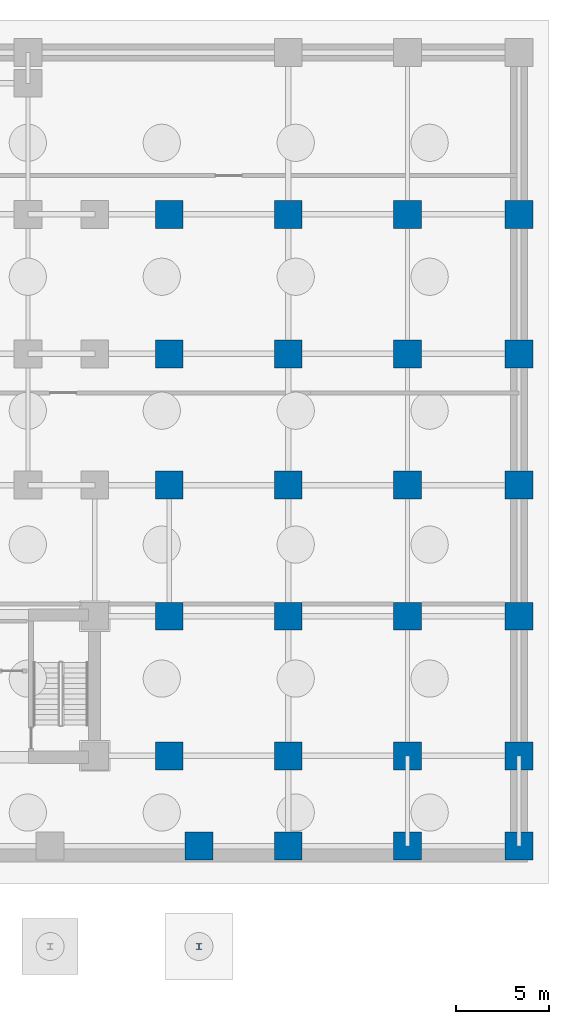
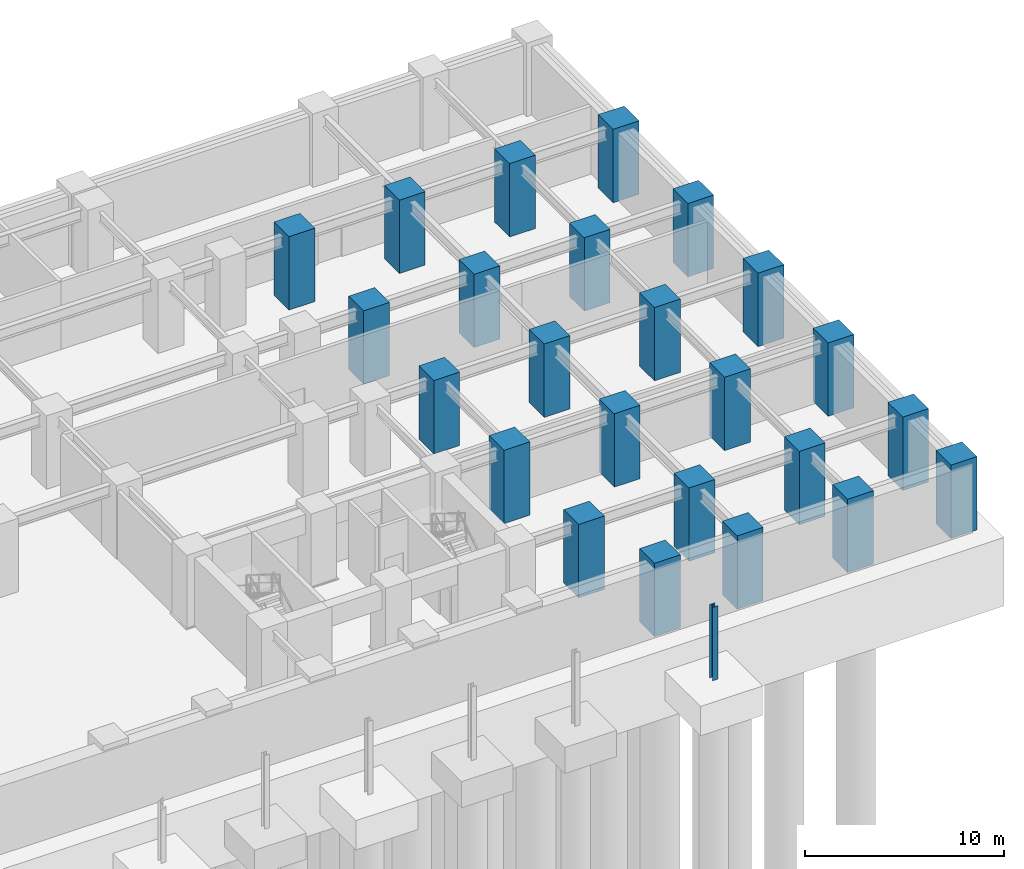
# One storey, part 4 of 11: 25 columns.
"""IFC4 building model written with IfcOpenShell, lengths in metres."""

from ifc_helpers import new_model, si_unit, direction, frame, origin, origin_2d, place, context, subcontext, project, spatial, rectangle, i_section, extrude, source, transform, mapped, material, material_profile, profile_set, type_object, element, save


model = new_model("IFC4")

# Units and contexts
model_context = context("Model", 3, precision=1e-05, world=origin(), true_north=direction((0.0, 1.0)))
body_context = subcontext(model_context, "Body", "Model", "MODEL_VIEW")
ifc_project = project(units=[si_unit("LENGTHUNIT", "METRE"), si_unit("AREAUNIT", "SQUARE_METRE"), si_unit("VOLUMEUNIT", "CUBIC_METRE"), si_unit("PLANEANGLEUNIT", "RADIAN"), si_unit("MASSUNIT", "GRAM", prefix="KILO")], contexts=[model_context])

# Site, building, storey
site_placement = place(None, origin())
site = spatial("IfcSite", under=ifc_project, at=site_placement, CompositionType="ELEMENT")
building_placement = place(site_placement, origin())
building = spatial("IfcBuilding", under=site, at=building_placement, Name="Kaliganga Portal Commons", CompositionType="ELEMENT")
storey_placement = place(building_placement, frame((0.0, 0.0, -9.0)))
storey = spatial("IfcBuildingStorey", under=building, at=storey_placement, Name="B2", CompositionType="ELEMENT", Elevation=-9.0)

# Columns
ifc_material_1 = material(Name="Structural steel S355J2", Category="steel")
ifc_material_profile_1 = material_profile(ifc_material_1, i_section(OverallWidth=0.300048828125, OverallDepth=0.320068359375, WebThickness=0.011474609375, FlangeThickness=0.0205078125, FilletRadius=0.027099609375, at=origin_2d()), Name="HE 320 B")
ifc_profile_set_1 = profile_set([ifc_material_profile_1], Name="Structural steel S355J2 wide-flange")
column_type_1 = type_object("IfcColumnType", Name="COL-PROM-POST", PredefinedType="COLUMN", material=ifc_profile_set_1)
shared_shape_1 = source(origin(), body_context, "Body", "SweptSolid", [
    extrude(i_section(OverallWidth=0.300048828125, OverallDepth=0.320068359375, WebThickness=0.011474609375, FlangeThickness=0.0205078125, FilletRadius=0.027099609375, at=origin_2d()), origin(), (0.0, 0.0, 1.0), 4.5),
])
column_placement = place(storey_placement, frame((56.0, -3.199951171875, 0.0), z_axis=(0.0, 0.0, 1.0), x_axis=(1.0, 0.0, 0.0)))
element("IfcColumn", 1, at=column_placement, inside=storey, type_object=column_type_1, Name="Column PC-01 B2", PredefinedType="COLUMN", context=body_context, shape_type="MappedRepresentation", body=[
    mapped(shared_shape_1, transform((0.0, 0.0, 0.0), x_axis=(1.0, 0.0, 0.0), y_axis=(0.0, 1.0, 0.0), z_axis=(0.0, 0.0, 1.0), scale=1.0)),
])
ifc_material_2 = material(Name="Concrete C70/85", Category="concrete")
ifc_material_profile_2 = material_profile(ifc_material_2, rectangle(XDim=1.5, YDim=1.5, at=origin_2d()), Name="RC 1500x1500")
ifc_profile_set_2 = profile_set([ifc_material_profile_2], Name="Concrete C70/85")
column_type_2 = type_object("IfcColumnType", Name="COL-MEGA-Z0", PredefinedType="COLUMN", material=ifc_profile_set_2)
shared_shape_2 = source(origin(), body_context, "Body", "SweptSolid", [
    extrude(rectangle(XDim=1.5, YDim=1.5, at=origin_2d()), origin(), (0.0, 0.0, 1.0), 4.5),
])
for number, where, z_axis, x_axis, name in (
    (2, (54.39990234375, 7.050048828125, 0.0), (0.0, 0.0, 1.0), (1.0, 0.0, 0.0), "Column MC-01 B2"),
    (3, (54.39990234375, 14.550048828125, 0.0), (0.0, 0.0, 1.0), (1.0, 0.0, 0.0), "Column MC-01 B2"),
    (4, (54.39990234375, 21.60009765625, 0.0), (0.0, 0.0, 1.0), (1.0, 0.0, 0.0), "Column MC-01 B2"),
    (5, (54.39990234375, 28.64990234375, 0.0), (0.0, 0.0, 1.0), (1.0, 0.0, 0.0), "Column MC-01 B2"),
    (6, (54.39990234375, 36.14990234375, 0.0), (0.0, 0.0, 1.0), (1.0, 0.0, 0.0), "Column MC-01 B2"),
    (7, (60.800048828125, 36.14990234375, 0.0), (0.0, 0.0, 1.0), (1.0, 0.0, 0.0), "Column MC-01 B2"),
    (8, (60.800048828125, 28.64990234375, 0.0), (0.0, 0.0, 1.0), (1.0, 0.0, 0.0), "Column MC-01 B2"),
    (9, (60.800048828125, 21.60009765625, 0.0), (0.0, 0.0, 1.0), (1.0, 0.0, 0.0), "Column MC-01 B2"),
    (10, (60.800048828125, 14.550048828125, 0.0), (0.0, 0.0, 1.0), (1.0, 0.0, 0.0), "Column MC-01 B2"),
    (11, (60.800048828125, 7.050048828125, 0.0), (0.0, 0.0, 1.0), (1.0, 0.0, 0.0), "Column MC-01 B2"),
    (12, (60.800048828125, 2.199951171875, 0.0), (0.0, 0.0, 1.0), (1.0, 0.0, 0.0), "Column MC-01 B2"),
    (13, (56.0, 2.199951171875, 0.0), (0.0, 0.0, 1.0), (1.0, 0.0, 0.0), "Column MC-01 B2"),
    (14, (67.199951171875, 2.199951171875, 0.0), (0.0, 0.0, 1.0), (1.0, 0.0, 0.0), "Column MC-01 B2"),
    (15, (67.199951171875, 7.050048828125, 0.0), (0.0, 0.0, 1.0), (1.0, 0.0, 0.0), "Column MC-01 B2"),
    (16, (67.199951171875, 14.550048828125, 0.0), (0.0, 0.0, 1.0), (1.0, 0.0, 0.0), "Column MC-01 B2"),
    (17, (67.199951171875, 21.60009765625, 0.0), (0.0, 0.0, 1.0), (1.0, 0.0, 0.0), "Column MC-01 B2"),
    (18, (67.199951171875, 28.64990234375, 0.0), (0.0, 0.0, 1.0), (1.0, 0.0, 0.0), "Column MC-01 B2"),
    (19, (67.199951171875, 36.14990234375, 0.0), (0.0, 0.0, 1.0), (1.0, 0.0, 0.0), "Column MC-01 B2"),
    (20, (73.199951171875, 2.199951171875, 0.0), (0.0, 0.0, 1.0), (1.0, 0.0, 0.0), "Column MC-01 B2"),
    (21, (73.199951171875, 7.050048828125, 0.0), (0.0, 0.0, 1.0), (1.0, 0.0, 0.0), "Column MC-01 B2"),
    (22, (73.199951171875, 14.550048828125, 0.0), (0.0, 0.0, 1.0), (1.0, 0.0, 0.0), "Column MC-01 B2"),
    (23, (73.199951171875, 21.60009765625, 0.0), (0.0, 0.0, 1.0), (1.0, 0.0, 0.0), "Column MC-01 B2"),
    (24, (73.199951171875, 28.64990234375, 0.0), (0.0, 0.0, 1.0), (1.0, 0.0, 0.0), "Column MC-01 B2"),
    (25, (73.199951171875, 36.14990234375, 0.0), (0.0, 0.0, 1.0), (1.0, 0.0, 0.0), "Column MC-01 B2"),
):
    element("IfcColumn", number, at=place(storey_placement, frame(where, z_axis=z_axis, x_axis=x_axis)), inside=storey, type_object=column_type_2, Name=name, PredefinedType="COLUMN", context=body_context, shape_type="MappedRepresentation", body=[
        mapped(shared_shape_2, transform((0.0, 0.0, 0.0), x_axis=(1.0, 0.0, 0.0), y_axis=(0.0, 1.0, 0.0), z_axis=(0.0, 0.0, 1.0), scale=1.0)),
    ])

save(model, "model.ifc")
